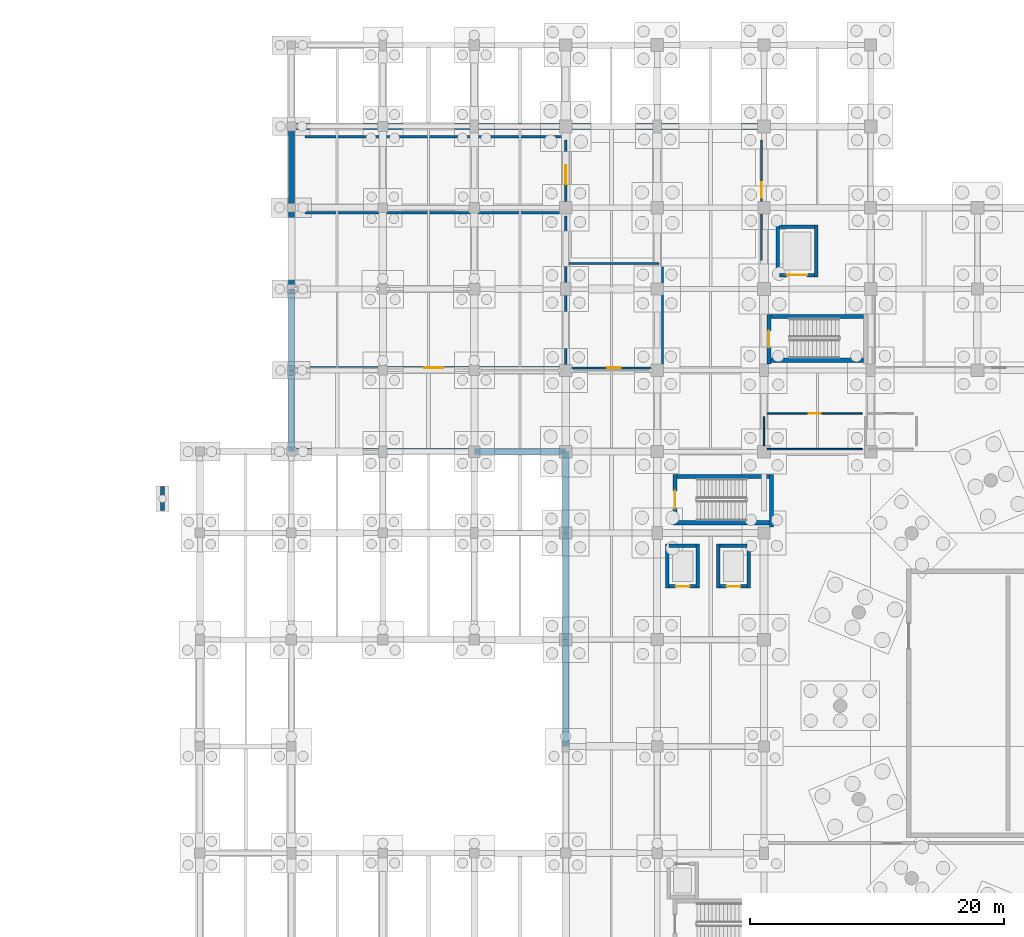
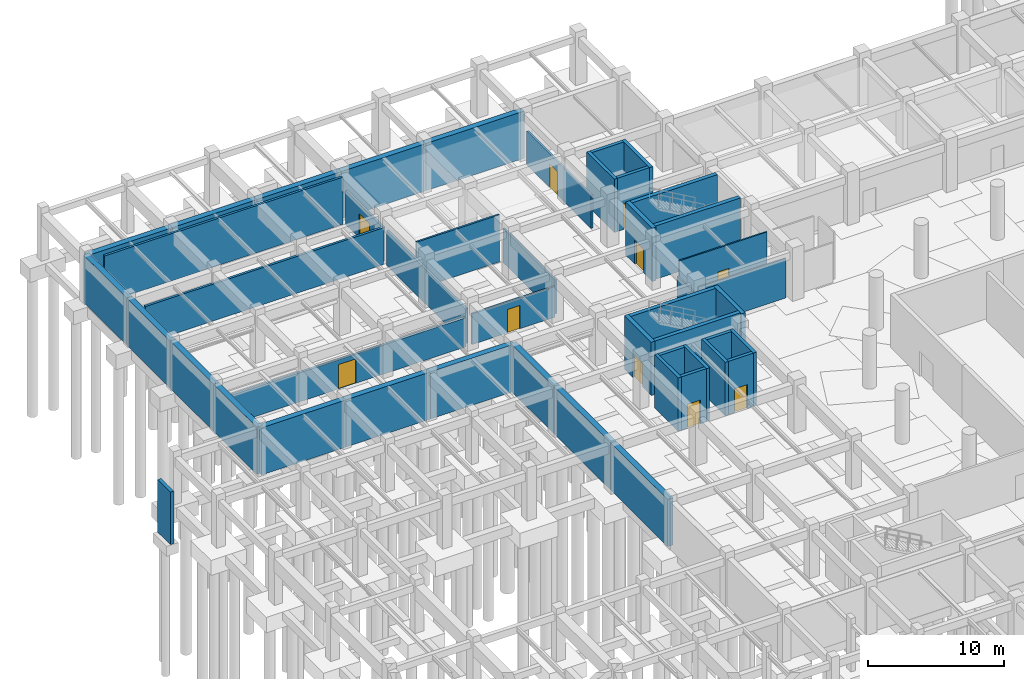
# One storey, part 32 of 44: 47 walls, 10 doors, 10 openings.
"""IFC4 building model written with IfcOpenShell, lengths in metres."""

from ifc_helpers import new_model, si_unit, direction, frame, frame_2d, origin, place, context, subcontext, project, spatial, rectangle, extrude, material, layer, layer_set, type_object, element, fill, save


model = new_model("IFC4")

# Units and contexts
model_context = context("Model", 3, precision=1e-05, world=origin(), true_north=direction((0.0, 1.0)))
body_context = subcontext(model_context, "Body", "Model", "MODEL_VIEW")
ifc_project = project(units=[si_unit("LENGTHUNIT", "METRE"), si_unit("AREAUNIT", "SQUARE_METRE"), si_unit("VOLUMEUNIT", "CUBIC_METRE"), si_unit("PLANEANGLEUNIT", "RADIAN"), si_unit("MASSUNIT", "GRAM", prefix="KILO")], contexts=[model_context])

# Site, building, storey
site_placement = place(None, origin())
site = spatial("IfcSite", under=ifc_project, at=site_placement, CompositionType="ELEMENT")
building_placement = place(site_placement, origin())
building = spatial("IfcBuilding", under=site, at=building_placement, Name="Korsvaeld Concert Hall", CompositionType="ELEMENT")
storey_placement = place(building_placement, frame((0.0, 0.0, -4.800048828125)))
storey = spatial("IfcBuildingStorey", under=building, at=storey_placement, Name="B1", CompositionType="ELEMENT", Elevation=-4.800048828125)

# Walls
ifc_material_1 = material(Name="Concrete C35/45", Category="concrete")
ifc_layer_1 = layer(ifc_material_1, 0.47998046875)
ifc_layer_set_1 = layer_set([ifc_layer_1], Name="Concrete C35/45")
wall_type_1 = type_object("IfcWallType", Name="WL-B1-RET-480", PredefinedType="SOLIDWALL", material=ifc_layer_set_1)
wall_1_placement = place(storey_placement, frame((43.199951171875, 60.0, 0.0), z_axis=(0.0, 0.0, 1.0), x_axis=(0.0, 1.0, 0.0)))
element("IfcWall", 1, at=wall_1_placement, inside=storey, type_object=wall_type_1, Name="Exterior sandstone wall B1-013", PredefinedType="SOLIDWALL", context=body_context, shape_type="SweptSolid", body=[
    extrude(rectangle(XDim=8.39990234375, YDim=0.47998046875, at=frame_2d((4.199951171875, 0.0))), origin(), (0.0, 0.0, 1.0), 4.25),
])
wall_2_placement = place(storey_placement, frame((43.199951171875, 68.39990234375, 0.0), z_axis=(0.0, 0.0, 1.0), x_axis=(0.0, 1.0, 0.0)))
element("IfcWall", 2, at=wall_2_placement, inside=storey, type_object=wall_type_1, Name="Exterior sandstone wall B1-014", PredefinedType="SOLIDWALL", context=body_context, shape_type="SweptSolid", body=[
    extrude(rectangle(XDim=8.400146484375, YDim=0.47998046875, at=frame_2d((4.2001953125, 0.0))), origin(), (0.0, 0.0, 1.0), 4.25),
])
wall_3_placement = place(storey_placement, frame((43.199951171875, 76.800048828125, 0.0), z_axis=(0.0, 0.0, 1.0), x_axis=(0.0, 1.0, 0.0)))
element("IfcWall", 3, at=wall_3_placement, inside=storey, type_object=wall_type_1, Name="Exterior sandstone wall B1-015", PredefinedType="SOLIDWALL", context=body_context, shape_type="SweptSolid", body=[
    extrude(rectangle(XDim=6.39990234375, YDim=0.47998046875, at=frame_2d((3.199951171875, 0.0))), origin(), (0.0, 0.0, 1.0), 4.25),
])
for number, where, z_axis, x_axis, name in (
    (4, (43.199951171875, 83.199951171875, 0.0), (0.0, 0.0, 1.0), (-1.0, 0.0, 0.0), "Exterior sandstone wall B1-016"),
    (5, (36.0, 83.199951171875, 0.0), (0.0, 0.0, 1.0), (-1.0, 0.0, 0.0), "Exterior sandstone wall B1-017"),
    (6, (28.800048828125, 83.199951171875, 0.0), (0.0, 0.0, 1.0), (-1.0, 0.0, 0.0), "Exterior sandstone wall B1-018"),
):
    element("IfcWall", number, at=place(storey_placement, frame(where, z_axis=z_axis, x_axis=x_axis)), inside=storey, type_object=wall_type_1, Name=name, PredefinedType="SOLIDWALL", context=body_context, shape_type="SweptSolid", body=[
        extrude(rectangle(XDim=7.199951171875, YDim=0.47998046875, at=frame_2d((3.60009765625, 0.0))), origin(), (0.0, 0.0, 1.0), 4.25),
    ])
wall_4_placement = place(storey_placement, frame((21.60009765625, 83.199951171875, 0.0), z_axis=(0.0, 0.0, 1.0), x_axis=(0.0, 1.0, 0.0)))
element("IfcWall", 7, at=wall_4_placement, inside=storey, type_object=wall_type_1, Name="Exterior sandstone wall B1-019", PredefinedType="SOLIDWALL", context=body_context, shape_type="SweptSolid", body=[
    extrude(rectangle(XDim=6.400146484375, YDim=0.47998046875, at=frame_2d((3.2001953125, 0.0))), origin(), (0.0, 0.0, 1.0), 4.25),
])
for number, where, z_axis, x_axis, name in (
    (8, (21.60009765625, 89.60009765625, 0.0), (0.0, 0.0, 1.0), (0.0, 1.0, 0.0), "Exterior sandstone wall B1-020"),
    (9, (21.60009765625, 96.0, 0.0), (0.0, 0.0, 1.0), (0.0, 1.0, 0.0), "Exterior sandstone wall B1-021"),
):
    element("IfcWall", number, at=place(storey_placement, frame(where, z_axis=z_axis, x_axis=x_axis)), inside=storey, type_object=wall_type_1, Name=name, PredefinedType="SOLIDWALL", context=body_context, shape_type="SweptSolid", body=[
        extrude(rectangle(XDim=6.39990234375, YDim=0.47998046875, at=frame_2d((3.199951171875, 0.0))), origin(), (0.0, 0.0, 1.0), 4.25),
    ])
wall_5_placement = place(storey_placement, frame((21.60009765625, 102.39990234375, 0.0), z_axis=(0.0, 0.0, 1.0), x_axis=(0.0, 1.0, 0.0)))
element("IfcWall", 10, at=wall_5_placement, inside=storey, type_object=wall_type_1, Name="Exterior sandstone wall B1-022", PredefinedType="SOLIDWALL", context=body_context, shape_type="SweptSolid", body=[
    extrude(rectangle(XDim=6.400146484375, YDim=0.47998046875, at=frame_2d((3.2001953125, 0.0))), origin(), (0.0, 0.0, 1.0), 4.25),
])
for number, where, z_axis, x_axis, name in (
    (11, (21.60009765625, 108.800048828125, 0.0), (0.0, 0.0, 1.0), (1.0, 0.0, 0.0), "Exterior sandstone wall B1-023"),
    (12, (28.800048828125, 108.800048828125, 0.0), (0.0, 0.0, 1.0), (1.0, 0.0, 0.0), "Exterior sandstone wall B1-024"),
    (13, (36.0, 108.800048828125, 0.0), (0.0, 0.0, 1.0), (1.0, 0.0, 0.0), "Exterior sandstone wall B1-025"),
    (14, (43.199951171875, 108.800048828125, 0.0), (0.0, 0.0, 1.0), (1.0, 0.0, 0.0), "Exterior sandstone wall B1-026"),
):
    element("IfcWall", number, at=place(storey_placement, frame(where, z_axis=z_axis, x_axis=x_axis)), inside=storey, type_object=wall_type_1, Name=name, PredefinedType="SOLIDWALL", context=body_context, shape_type="SweptSolid", body=[
        extrude(rectangle(XDim=7.199951171875, YDim=0.47998046875, at=frame_2d((3.60009765625, 0.0))), origin(), (0.0, 0.0, 1.0), 4.25),
    ])
wall_6_placement = place(storey_placement, frame((50.39990234375, 108.800048828125, 0.0), z_axis=(0.0, 0.0, 1.0), x_axis=(1.0, 0.0, 0.0)))
element("IfcWall", 15, at=wall_6_placement, inside=storey, type_object=wall_type_1, Name="Exterior sandstone wall B1-027", PredefinedType="SOLIDWALL", context=body_context, shape_type="SweptSolid", body=[
    extrude(rectangle(XDim=8.400146484375, YDim=0.47998046875, at=frame_2d((4.2001953125, 0.0))), origin(), (0.0, 0.0, 1.0), 4.25),
])
ifc_material_2 = material(Name="Concrete C40/50", Category="concrete")
ifc_layer_2 = layer(ifc_material_2, 0.340087890625)
ifc_layer_set_2 = layer_set([ifc_layer_2], Name="Concrete C40/50")
wall_type_2 = type_object("IfcWallType", Name="WL-CORE-340", PredefinedType="SHEAR", material=ifc_layer_set_2)
wall_7_placement = place(storey_placement, frame((51.969970703125, 77.60009765625, 0.0), z_axis=(0.0, 0.0, 1.0), x_axis=(1.0, 0.0, 0.0)))
element("IfcWall", 16, at=wall_7_placement, inside=storey, type_object=wall_type_2, Name="Core K1 shear wall B1 S", PredefinedType="SHEAR", context=body_context, shape_type="SweptSolid", body=[
    extrude(rectangle(XDim=7.260009765625, YDim=0.340087890625, at=frame_2d((3.6298828125, 0.0))), origin(), (0.0, 0.0, 1.0), 4.800048828125),
])
wall_8_placement = place(storey_placement, frame((59.39990234375, 77.27490234375, 0.0), z_axis=(0.0, 0.0, 1.0), x_axis=(0.0, 1.0, 0.0)))
element("IfcWall", 17, at=wall_8_placement, inside=storey, type_object=wall_type_2, Name="Core K1 shear wall B1 E", PredefinedType="SHEAR", context=body_context, shape_type="SweptSolid", body=[
    extrude(rectangle(XDim=4.135009765625, YDim=0.340087890625, at=frame_2d((2.0673828125, 0.0))), origin(), (0.0, 0.0, 1.0), 4.800048828125),
])
wall_9_placement = place(storey_placement, frame((59.22998046875, 81.239990234375, 0.0), z_axis=(0.0, 0.0, 1.0), x_axis=(-1.0, 0.0, 0.0)))
element("IfcWall", 18, at=wall_9_placement, inside=storey, type_object=wall_type_2, Name="Core K1 shear wall B1 N", PredefinedType="SHEAR", context=body_context, shape_type="SweptSolid", body=[
    extrude(rectangle(XDim=7.260009765625, YDim=0.340087890625, at=frame_2d((3.6298828125, 0.0))), origin(), (0.0, 0.0, 1.0), 4.800048828125),
])

# Wall, opening, door
wall_10_placement = place(storey_placement, frame((51.800048828125, 81.409912109375, 0.0), z_axis=(0.0, 0.0, 1.0), x_axis=(0.0, -1.0, 0.0)))
wall_10 = element("IfcWall", 19, at=wall_10_placement, inside=storey, type_object=wall_type_2, Name="Core K1 shear wall B1 W", PredefinedType="SHEAR", context=body_context, shape_type="SweptSolid", body=[
    extrude(rectangle(XDim=3.97998046875, YDim=0.340087890625, at=frame_2d((1.989990234375, 0.0))), origin(), (0.0, 0.0, 1.0), 4.800048828125),
])
opening_1_placement = place(wall_10_placement, frame((1.2900390625, 0.0, 0.0)))
opening_1 = element("IfcOpeningElement", 20, at=opening_1_placement, cuts=wall_10, Name="Opening FD-02", PredefinedType="OPENING", context=body_context, shape_type="SweptSolid", body=[
    extrude(rectangle(XDim=1.39990234375, YDim=2.14990234375, at=frame_2d((0.699951171875, 1.074951171875))), frame((0.0, 0.18017578125, 0.0), z_axis=(0.0, -1.0, 0.0), x_axis=(1.0, 0.0, 0.0)), (0.0, 0.0, 1.0), 0.360107421875),
])
ifc_material_3 = material(Name="Acoustic steel and oak fire door", Category="steel")
door_type_1 = type_object("IfcDoorType", Name="DR-FD-STAIR-140x215", OperationType="NOTDEFINED", PredefinedType="DOOR", material=ifc_material_3)
door_1_placement = place(opening_1_placement, origin())
door_1 = element("IfcDoor", 21, at=door_1_placement, inside=storey, type_object=door_type_1, Name="Escape stair ST-K1 fire door B1", OperationType="SINGLE_SWING_LEFT", OverallHeight=2.14990234375, OverallWidth=1.39990234375, PredefinedType="DOOR", context=body_context, shape_type="SweptSolid", body=[
    extrude(rectangle(XDim=1.39990234375, YDim=2.14990234375, at=frame_2d((0.699951171875, 1.074951171875))), frame((0.0, 0.02490234375, 0.0), z_axis=(0.0, -1.0, 0.0), x_axis=(1.0, 0.0, 0.0)), (0.0, 0.0, 1.0), 0.050048828125),
])
fill(opening_1, door_1)

# Walls
for number, where, z_axis, x_axis, name in (
    (22, (59.3701171875, 90.39990234375, 0.0), (0.0, 0.0, 1.0), (1.0, 0.0, 0.0), "Core K5 shear wall B1 S"),
    (23, (66.6298828125, 93.840087890625, 0.0), (0.0, 0.0, 1.0), (-1.0, 0.0, 0.0), "Core K5 shear wall B1 N"),
):
    element("IfcWall", number, at=place(storey_placement, frame(where, z_axis=z_axis, x_axis=x_axis)), inside=storey, type_object=wall_type_2, Name=name, PredefinedType="SHEAR", context=body_context, shape_type="SweptSolid", body=[
        extrude(rectangle(XDim=7.259765625, YDim=0.340087890625, at=frame_2d((3.6298828125, 0.0))), origin(), (0.0, 0.0, 1.0), 4.800048828125),
    ])

# Wall, opening, door
wall_11_placement = place(storey_placement, frame((59.199951171875, 94.010009765625, 0.0), z_axis=(0.0, 0.0, 1.0), x_axis=(0.0, -1.0, 0.0)))
wall_11 = element("IfcWall", 24, at=wall_11_placement, inside=storey, type_object=wall_type_2, Name="Core K5 shear wall B1 W", PredefinedType="SHEAR", context=body_context, shape_type="SweptSolid", body=[
    extrude(rectangle(XDim=3.909912109375, YDim=0.340087890625, at=frame_2d((1.955078125, 0.0))), origin(), (0.0, 0.0, 1.0), 4.800048828125),
])
opening_2_placement = place(wall_11_placement, frame((1.304931640625, 0.0, 0.0)))
opening_2 = element("IfcOpeningElement", 25, at=opening_2_placement, cuts=wall_11, Name="Opening FD-01", PredefinedType="OPENING", context=body_context, shape_type="SweptSolid", body=[
    extrude(rectangle(XDim=1.300048828125, YDim=2.14990234375, at=frame_2d((0.64990234375, 1.074951171875))), frame((0.0, 0.18017578125, 0.0), z_axis=(0.0, -1.0, 0.0), x_axis=(1.0, 0.0, 0.0)), (0.0, 0.0, 1.0), 0.360107421875),
])
door_type_2 = type_object("IfcDoorType", Name="DR-FD-STAIR-130x215", OperationType="NOTDEFINED", PredefinedType="DOOR", material=ifc_material_3)
door_2_placement = place(opening_2_placement, origin())
door_2 = element("IfcDoor", 26, at=door_2_placement, inside=storey, type_object=door_type_2, Name="Escape stair ST-K5 fire door B1", OperationType="SINGLE_SWING_LEFT", OverallHeight=2.14990234375, OverallWidth=1.300048828125, PredefinedType="DOOR", context=body_context, shape_type="SweptSolid", body=[
    extrude(rectangle(XDim=1.300048828125, YDim=2.14990234375, at=frame_2d((0.64990234375, 1.074951171875))), frame((0.0, 0.02490234375, 0.0), z_axis=(0.0, -1.0, 0.0), x_axis=(1.0, 0.0, 0.0)), (0.0, 0.0, 1.0), 0.050048828125),
])
fill(opening_2, door_2)

ifc_material_4 = material(Name="Double acoustic gypsum fire compartment wall")
ifc_layer_3 = layer(ifc_material_4, 0.199951171875)
ifc_layer_set_3 = layer_set([ifc_layer_3], Name="Double acoustic gypsum fire compartment wall")
wall_type_3 = type_object("IfcWallType", Name="WL-FIRE-200", PredefinedType="PARTITIONING", material=ifc_layer_set_3)
wall_12_placement = place(storey_placement, frame((22.659912109375, 89.800048828125, 0.0), z_axis=(0.0, 0.0, 1.0), x_axis=(1.0, 0.0, 0.0)))
wall_12 = element("IfcWall", 27, at=wall_12_placement, inside=storey, type_object=wall_type_3, Name="Interior partition B1-01 S", PredefinedType="PARTITIONING", context=body_context, shape_type="SweptSolid", body=[
    extrude(rectangle(XDim=20.280029296875, YDim=0.199951171875, at=frame_2d((10.14013671875, 0.0))), origin(), (0.0, 0.0, 1.0), 2.625),
])
opening_3_placement = place(wall_12_placement, frame((9.389892578125, 0.0, 0.0)))
opening_3 = element("IfcOpeningElement", 28, at=opening_3_placement, cuts=wall_12, Name="Opening FD-07", PredefinedType="OPENING", context=body_context, shape_type="SweptSolid", body=[
    extrude(rectangle(XDim=1.5, YDim=2.199951171875, at=frame_2d((0.75, 1.10009765625))), frame((0.0, 0.10986328125, 0.0), z_axis=(0.0, -1.0, 0.0), x_axis=(1.0, 0.0, 0.0)), (0.0, 0.0, 1.0), 0.219970703125),
])
ifc_material_5 = material(Name="Acoustic steel plant fire door", Category="steel")
door_type_3 = type_object("IfcDoorType", Name="DR-FD-PLANT-150x220", OperationType="DOUBLE_DOOR_SINGLE_SWING", PredefinedType="DOOR", material=ifc_material_5)
door_3_placement = place(opening_3_placement, origin())
door_3 = element("IfcDoor", 29, at=door_3_placement, inside=storey, type_object=door_type_3, Name="Covered Bicycle Hub West door B1-01", OperationType="DOUBLE_DOOR_SINGLE_SWING", OverallHeight=2.199951171875, OverallWidth=1.5, PredefinedType="DOOR", context=body_context, shape_type="SweptSolid", body=[
    extrude(rectangle(XDim=1.5, YDim=2.199951171875, at=frame_2d((0.75, 1.10009765625))), frame((0.0, 0.02490234375, 0.0), z_axis=(0.0, -1.0, 0.0), x_axis=(1.0, 0.0, 0.0)), (0.0, 0.0, 1.0), 0.050048828125),
])
fill(opening_3, door_3)

# Walls
wall_13_placement = place(storey_placement, frame((43.199951171875, 90.06005859375, 0.0), z_axis=(0.0, 0.0, 1.0), x_axis=(0.0, 1.0, 0.0)))
element("IfcWall", 30, at=wall_13_placement, inside=storey, type_object=wall_type_3, Name="Interior partition B1-01 E", PredefinedType="PARTITIONING", context=body_context, shape_type="SweptSolid", body=[
    extrude(rectangle(XDim=11.679931640625, YDim=0.199951171875, at=frame_2d((5.83984375, 0.0))), origin(), (0.0, 0.0, 1.0), 3.125),
])
wall_14_placement = place(storey_placement, frame((42.93994140625, 102.0, 0.0), z_axis=(0.0, 0.0, 1.0), x_axis=(-1.0, 0.0, 0.0)))
element("IfcWall", 31, at=wall_14_placement, inside=storey, type_object=wall_type_3, Name="Interior partition B1-01 N", PredefinedType="PARTITIONING", context=body_context, shape_type="SweptSolid", body=[
    extrude(rectangle(XDim=20.280029296875, YDim=0.199951171875, at=frame_2d((10.14013671875, 0.0))), origin(), (0.0, 0.0, 1.0), 3.324951171875),
])

# Wall, opening, door
wall_15_placement = place(storey_placement, frame((43.199951171875, 102.260009765625, 0.0), z_axis=(0.0, 0.0, 1.0), x_axis=(0.0, 1.0, 0.0)))
wall_15 = element("IfcWall", 32, at=wall_15_placement, inside=storey, type_object=wall_type_3, Name="Interior partition B1-19 E", PredefinedType="PARTITIONING", context=body_context, shape_type="SweptSolid", body=[
    extrude(rectangle(XDim=5.47998046875, YDim=0.199951171875, at=frame_2d((2.739990234375, 0.0))), origin(), (0.0, 0.0, 1.0), 3.074951171875),
])
opening_4_placement = place(wall_15_placement, frame((1.989990234375, 0.0, 0.0)))
opening_4 = element("IfcOpeningElement", 33, at=opening_4_placement, cuts=wall_15, Name="Opening FD-07", PredefinedType="OPENING", context=body_context, shape_type="SweptSolid", body=[
    extrude(rectangle(XDim=1.5, YDim=2.199951171875, at=frame_2d((0.75, 1.10009765625))), frame((0.0, 0.10986328125, 0.0), z_axis=(0.0, -1.0, 0.0), x_axis=(1.0, 0.0, 0.0)), (0.0, 0.0, 1.0), 0.219970703125),
])
door_4_placement = place(opening_4_placement, origin())
door_4 = element("IfcDoor", 34, at=door_4_placement, inside=storey, type_object=door_type_3, Name="Sprinkler Pump & Electrical Substation Room door B1-19", OperationType="DOUBLE_DOOR_SINGLE_SWING", OverallHeight=2.199951171875, OverallWidth=1.5, PredefinedType="DOOR", context=body_context, shape_type="SweptSolid", body=[
    extrude(rectangle(XDim=1.5, YDim=2.199951171875, at=frame_2d((0.75, 1.10009765625))), frame((0.0, 0.02490234375, 0.0), z_axis=(0.0, -1.0, 0.0), x_axis=(1.0, 0.0, 0.0)), (0.0, 0.0, 1.0), 0.050048828125),
])
fill(opening_4, door_4)

# Walls
wall_16_placement = place(storey_placement, frame((42.93994140625, 108.0, 0.0), z_axis=(0.0, 0.0, 1.0), x_axis=(-1.0, 0.0, 0.0)))
element("IfcWall", 35, at=wall_16_placement, inside=storey, type_object=wall_type_3, Name="Interior partition B1-19 N", PredefinedType="PARTITIONING", context=body_context, shape_type="SweptSolid", body=[
    extrude(rectangle(XDim=20.280029296875, YDim=0.199951171875, at=frame_2d((10.14013671875, 0.0))), origin(), (0.0, 0.0, 1.0), 4.25),
])
ifc_material_6 = material(Name="Insulated acoustic gypsum partition")
ifc_layer_4 = layer(ifc_material_6, 0.125)
ifc_layer_set_4 = layer_set([ifc_layer_4], Name="Insulated acoustic gypsum partition")
wall_type_4 = type_object("IfcWallType", Name="WL-PART-125", PredefinedType="PARTITIONING", material=ifc_layer_set_4)
wall_17_placement = place(storey_placement, frame((59.06005859375, 83.39990234375, 0.0), z_axis=(0.0, 0.0, 1.0), x_axis=(1.0, 0.0, 0.0)))
element("IfcWall", 36, at=wall_17_placement, inside=storey, type_object=wall_type_4, Name="Interior partition B1-20 S", PredefinedType="PARTITIONING", context=body_context, shape_type="SweptSolid", body=[
    extrude(rectangle(XDim=7.47998046875, YDim=0.125, at=frame_2d((3.739990234375, 0.0))), origin(), (0.0, 0.0, 1.0), 3.574951171875),
])

# Wall, opening, door
wall_18_placement = place(storey_placement, frame((66.5400390625, 86.199951171875, 0.0), z_axis=(0.0, 0.0, 1.0), x_axis=(-1.0, 0.0, 0.0)))
wall_18 = element("IfcWall", 37, at=wall_18_placement, inside=storey, type_object=wall_type_4, Name="Interior partition B1-20 N", PredefinedType="PARTITIONING", context=body_context, shape_type="SweptSolid", body=[
    extrude(rectangle(XDim=7.47998046875, YDim=0.125, at=frame_2d((3.739990234375, 0.0))), origin(), (0.0, 0.0, 1.0), 4.25),
])
opening_5_placement = place(wall_18_placement, frame((3.27001953125, 0.0, 0.0)))
opening_5 = element("IfcOpeningElement", 38, at=opening_5_placement, cuts=wall_18, Name="Opening ID-05", PredefinedType="OPENING", context=body_context, shape_type="SweptSolid", body=[
    extrude(rectangle(XDim=0.93994140625, YDim=2.10009765625, at=frame_2d((0.469970703125, 1.050048828125))), frame((0.0, 0.072509765625, 0.0), z_axis=(0.0, -1.0, 0.0), x_axis=(1.0, 0.0, 0.0)), (0.0, 0.0, 1.0), 0.14501953125),
])
ifc_material_7 = material(Name="Accessible washroom oak door")
door_type_4 = type_object("IfcDoorType", Name="DR-INT-WC-094x210", OperationType="NOTDEFINED", PredefinedType="DOOR", material=ifc_material_7)
door_5_placement = place(opening_5_placement, origin())
door_5 = element("IfcDoor", 39, at=door_5_placement, inside=storey, type_object=door_type_4, Name="Musicians Changing & Staff WC B1 door B1-20", OperationType="SINGLE_SWING_LEFT", OverallHeight=2.10009765625, OverallWidth=0.93994140625, PredefinedType="DOOR", context=body_context, shape_type="SweptSolid", body=[
    extrude(rectangle(XDim=0.93994140625, YDim=2.10009765625, at=frame_2d((0.469970703125, 1.050048828125))), frame((0.0, 0.02490234375, 0.0), z_axis=(0.0, -1.0, 0.0), x_axis=(1.0, 0.0, 0.0)), (0.0, 0.0, 1.0), 0.050048828125),
])
fill(opening_5, door_5)

# Wall
wall_19_placement = place(storey_placement, frame((58.800048828125, 85.93994140625, 0.0), z_axis=(0.0, 0.0, 1.0), x_axis=(0.0, -1.0, 0.0)))
element("IfcWall", 40, at=wall_19_placement, inside=storey, type_object=wall_type_4, Name="Interior partition B1-20 W", PredefinedType="PARTITIONING", context=body_context, shape_type="SweptSolid", body=[
    extrude(rectangle(XDim=2.280029296875, YDim=0.125, at=frame_2d((1.14013671875, 0.0))), origin(), (0.0, 0.0, 1.0), 3.125),
])

# Wall, opening, door
ifc_material_8 = material(Name="Double-stud acoustic rehearsal partition")
ifc_layer_5 = layer(ifc_material_8, 0.159912109375)
ifc_layer_set_5 = layer_set([ifc_layer_5], Name="Double-stud acoustic rehearsal partition")
wall_type_5 = type_object("IfcWallType", Name="WL-PART-160", PredefinedType="PARTITIONING", material=ifc_layer_set_5)
wall_20_placement = place(storey_placement, frame((43.4599609375, 89.800048828125, 0.0), z_axis=(0.0, 0.0, 1.0), x_axis=(1.0, 0.0, 0.0)))
wall_20 = element("IfcWall", 41, at=wall_20_placement, inside=storey, type_object=wall_type_5, Name="Interior partition B1-11 S", PredefinedType="PARTITIONING", context=body_context, shape_type="SweptSolid", body=[
    extrude(rectangle(XDim=7.080078125, YDim=0.159912109375, at=frame_2d((3.5400390625, 0.0))), origin(), (0.0, 0.0, 1.0), 2.76513671875),
])
opening_6_placement = place(wall_20_placement, frame((3.014892578125, 0.0, 0.0)))
opening_6 = element("IfcOpeningElement", 42, at=opening_6_placement, cuts=wall_20, Name="Opening ID-02", PredefinedType="OPENING", context=body_context, shape_type="SweptSolid", body=[
    extrude(rectangle(XDim=1.050048828125, YDim=2.10009765625, at=frame_2d((0.52490234375, 1.050048828125))), frame((0.0, 0.08984375, 0.0), z_axis=(0.0, -1.0, 0.0), x_axis=(1.0, 0.0, 0.0)), (0.0, 0.0, 1.0), 0.179931640625),
])
ifc_material_9 = material(Name="Solid European oak practice room door")
door_type_5 = type_object("IfcDoorType", Name="DR-INT-PRC-105x210", OperationType="NOTDEFINED", PredefinedType="DOOR", material=ifc_material_9)
door_6_placement = place(opening_6_placement, origin())
door_6 = element("IfcDoor", 43, at=door_6_placement, inside=storey, type_object=door_type_5, Name="Percussion Practice Room B1-A door B1-11", OperationType="SINGLE_SWING_RIGHT", OverallHeight=2.10009765625, OverallWidth=1.050048828125, PredefinedType="DOOR", context=body_context, shape_type="SweptSolid", body=[
    extrude(rectangle(XDim=1.050048828125, YDim=2.10009765625, at=frame_2d((0.52490234375, 1.050048828125))), frame((0.0, 0.02490234375, 0.0), z_axis=(0.0, -1.0, 0.0), x_axis=(1.0, 0.0, 0.0)), (0.0, 0.0, 1.0), 0.050048828125),
])
fill(opening_6, door_6)

# Walls
wall_21_placement = place(storey_placement, frame((50.800048828125, 90.06005859375, 0.0), z_axis=(0.0, 0.0, 1.0), x_axis=(0.0, 1.0, 0.0)))
element("IfcWall", 44, at=wall_21_placement, inside=storey, type_object=wall_type_5, Name="Interior partition B1-11 E", PredefinedType="PARTITIONING", context=body_context, shape_type="SweptSolid", body=[
    extrude(rectangle(XDim=7.679931640625, YDim=0.159912109375, at=frame_2d((3.83984375, 0.0))), origin(), (0.0, 0.0, 1.0), 3.074951171875),
])
wall_22_placement = place(storey_placement, frame((50.5400390625, 98.0, 0.0), z_axis=(0.0, 0.0, 1.0), x_axis=(-1.0, 0.0, 0.0)))
element("IfcWall", 45, at=wall_22_placement, inside=storey, type_object=wall_type_5, Name="Interior partition B1-11 N", PredefinedType="PARTITIONING", context=body_context, shape_type="SweptSolid", body=[
    extrude(rectangle(XDim=7.080078125, YDim=0.159912109375, at=frame_2d((3.5400390625, 0.0))), origin(), (0.0, 0.0, 1.0), 4.25),
])

# Wall, opening, door
wall_23_placement = place(storey_placement, frame((58.60009765625, 98.260009765625, 0.0), z_axis=(0.0, 0.0, 1.0), x_axis=(0.0, 1.0, 0.0)))
wall_23 = element("IfcWall", 46, at=wall_23_placement, inside=storey, type_object=wall_type_5, Name="Interior partition B1-12 E", PredefinedType="PARTITIONING", context=body_context, shape_type="SweptSolid", body=[
    extrude(rectangle(XDim=9.47998046875, YDim=0.159912109375, at=frame_2d((4.739990234375, 0.0))), origin(), (0.0, 0.0, 1.0), 3.025146484375),
])
opening_7_placement = place(wall_23_placement, frame((4.93994140625, 0.0, 0.0)))
opening_7 = element("IfcOpeningElement", 47, at=opening_7_placement, cuts=wall_23, Name="Opening ID-01", PredefinedType="OPENING", context=body_context, shape_type="SweptSolid", body=[
    extrude(rectangle(XDim=1.199951171875, YDim=2.14990234375, at=frame_2d((0.60009765625, 1.074951171875))), frame((0.0, 0.08984375, 0.0), z_axis=(0.0, -1.0, 0.0), x_axis=(1.0, 0.0, 0.0)), (0.0, 0.0, 1.0), 0.179931640625),
])
ifc_material_10 = material(Name="Solid European oak acoustic studio door")
door_type_6 = type_object("IfcDoorType", Name="DR-INT-REH-120x215", OperationType="NOTDEFINED", PredefinedType="DOOR", material=ifc_material_10)
door_7_placement = place(opening_7_placement, origin())
door_7 = element("IfcDoor", 48, at=door_7_placement, inside=storey, type_object=door_type_6, Name="Brass Ensemble Rehearsal Room B1-B door B1-12", OperationType="SINGLE_SWING_LEFT", OverallHeight=2.14990234375, OverallWidth=1.199951171875, PredefinedType="DOOR", context=body_context, shape_type="SweptSolid", body=[
    extrude(rectangle(XDim=1.199951171875, YDim=2.14990234375, at=frame_2d((0.60009765625, 1.074951171875))), frame((0.0, 0.02490234375, 0.0), z_axis=(0.0, -1.0, 0.0), x_axis=(1.0, 0.0, 0.0)), (0.0, 0.0, 1.0), 0.050048828125),
])
fill(opening_7, door_7)

ifc_layer_6 = layer(ifc_material_2, 0.280029296875)
ifc_layer_set_6 = layer_set([ifc_layer_6], Name="Concrete C40/50")
wall_type_6 = type_object("IfcWallType", Name="WL-SHAFT-280", PredefinedType="SHEAR", material=ifc_layer_set_6)
wall_24_placement = place(storey_placement, frame((51.340087890625, 72.60009765625, 0.0), z_axis=(0.0, 0.0, 1.0), x_axis=(1.0, 0.0, 0.0)))
wall_24 = element("IfcWall", 49, at=wall_24_placement, inside=storey, type_object=wall_type_6, Name="Lift LP-01 shaft wall B1 S", PredefinedType="SHEAR", context=body_context, shape_type="SweptSolid", body=[
    extrude(rectangle(XDim=2.119873046875, YDim=0.280029296875, at=frame_2d((1.06005859375, 0.0))), origin(), (0.0, 0.0, 1.0), 4.800048828125),
])
opening_8_placement = place(wall_24_placement, frame((0.510009765625, 0.0, 0.0)))
opening_8 = element("IfcOpeningElement", 50, at=opening_8_placement, cuts=wall_24, Name="Opening LD-01", PredefinedType="OPENING", context=body_context, shape_type="SweptSolid", body=[
    extrude(rectangle(XDim=1.10009765625, YDim=2.14990234375, at=frame_2d((0.550048828125, 1.074951171875))), frame((0.0, 0.14990234375, 0.0), z_axis=(0.0, -1.0, 0.0), x_axis=(1.0, 0.0, 0.0)), (0.0, 0.0, 1.0), 0.300048828125),
])
ifc_material_11 = material(Name="Brushed bronze-stainless sliding lift landing door")
door_type_7 = type_object("IfcDoorType", Name="DR-LD-PASS-110x215", OperationType="NOTDEFINED", PredefinedType="DOOR", material=ifc_material_11)
door_8_placement = place(opening_8_placement, origin())
door_8 = element("IfcDoor", 51, at=door_8_placement, inside=storey, type_object=door_type_7, Name="Lift landing door LP-01 B1", OperationType="SLIDING_TO_LEFT", OverallHeight=2.14990234375, OverallWidth=1.10009765625, PredefinedType="DOOR", context=body_context, shape_type="SweptSolid", body=[
    extrude(rectangle(XDim=1.10009765625, YDim=2.14990234375, at=frame_2d((0.550048828125, 1.074951171875))), frame((0.0, 0.02490234375, 0.0), z_axis=(0.0, -1.0, 0.0), x_axis=(1.0, 0.0, 0.0)), (0.0, 0.0, 1.0), 0.050048828125),
])
fill(opening_8, door_8)

# Walls
wall_25_placement = place(storey_placement, frame((53.60009765625, 72.4599609375, 0.0), z_axis=(0.0, 0.0, 1.0), x_axis=(0.0, 1.0, 0.0)))
element("IfcWall", 52, at=wall_25_placement, inside=storey, type_object=wall_type_6, Name="Lift LP-01 shaft wall B1 E", PredefinedType="SHEAR", context=body_context, shape_type="SweptSolid", body=[
    extrude(rectangle(XDim=3.47998046875, YDim=0.280029296875, at=frame_2d((1.739990234375, 0.0))), origin(), (0.0, 0.0, 1.0), 4.800048828125),
])
wall_26_placement = place(storey_placement, frame((53.4599609375, 75.800048828125, 0.0), z_axis=(0.0, 0.0, 1.0), x_axis=(-1.0, 0.0, 0.0)))
element("IfcWall", 53, at=wall_26_placement, inside=storey, type_object=wall_type_6, Name="Lift LP-01 shaft wall B1 N", PredefinedType="SHEAR", context=body_context, shape_type="SweptSolid", body=[
    extrude(rectangle(XDim=2.119873046875, YDim=0.280029296875, at=frame_2d((1.06005859375, 0.0))), origin(), (0.0, 0.0, 1.0), 4.800048828125),
])
wall_27_placement = place(storey_placement, frame((51.199951171875, 75.93994140625, 0.0), z_axis=(0.0, 0.0, 1.0), x_axis=(0.0, -1.0, 0.0)))
element("IfcWall", 54, at=wall_27_placement, inside=storey, type_object=wall_type_6, Name="Lift LP-01 shaft wall B1 W", PredefinedType="SHEAR", context=body_context, shape_type="SweptSolid", body=[
    extrude(rectangle(XDim=3.47998046875, YDim=0.280029296875, at=frame_2d((1.739990234375, 0.0))), origin(), (0.0, 0.0, 1.0), 4.800048828125),
])

# Wall, opening, door
wall_28_placement = place(storey_placement, frame((55.340087890625, 72.60009765625, 0.0), z_axis=(0.0, 0.0, 1.0), x_axis=(1.0, 0.0, 0.0)))
wall_28 = element("IfcWall", 55, at=wall_28_placement, inside=storey, type_object=wall_type_6, Name="Lift LP-02 shaft wall B1 S", PredefinedType="SHEAR", context=body_context, shape_type="SweptSolid", body=[
    extrude(rectangle(XDim=2.119873046875, YDim=0.280029296875, at=frame_2d((1.06005859375, 0.0))), origin(), (0.0, 0.0, 1.0), 4.800048828125),
])
opening_9_placement = place(wall_28_placement, frame((0.510009765625, 0.0, 0.0)))
opening_9 = element("IfcOpeningElement", 56, at=opening_9_placement, cuts=wall_28, Name="Opening LD-01", PredefinedType="OPENING", context=body_context, shape_type="SweptSolid", body=[
    extrude(rectangle(XDim=1.10009765625, YDim=2.14990234375, at=frame_2d((0.550048828125, 1.074951171875))), frame((0.0, 0.14990234375, 0.0), z_axis=(0.0, -1.0, 0.0), x_axis=(1.0, 0.0, 0.0)), (0.0, 0.0, 1.0), 0.300048828125),
])
door_9_placement = place(opening_9_placement, origin())
door_9 = element("IfcDoor", 57, at=door_9_placement, inside=storey, type_object=door_type_7, Name="Lift landing door LP-02 B1", OperationType="SLIDING_TO_RIGHT", OverallHeight=2.14990234375, OverallWidth=1.10009765625, PredefinedType="DOOR", context=body_context, shape_type="SweptSolid", body=[
    extrude(rectangle(XDim=1.10009765625, YDim=2.14990234375, at=frame_2d((0.550048828125, 1.074951171875))), frame((0.0, 0.02490234375, 0.0), z_axis=(0.0, -1.0, 0.0), x_axis=(1.0, 0.0, 0.0)), (0.0, 0.0, 1.0), 0.050048828125),
])
fill(opening_9, door_9)

# Walls
wall_29_placement = place(storey_placement, frame((57.60009765625, 72.4599609375, 0.0), z_axis=(0.0, 0.0, 1.0), x_axis=(0.0, 1.0, 0.0)))
element("IfcWall", 58, at=wall_29_placement, inside=storey, type_object=wall_type_6, Name="Lift LP-02 shaft wall B1 E", PredefinedType="SHEAR", context=body_context, shape_type="SweptSolid", body=[
    extrude(rectangle(XDim=3.47998046875, YDim=0.280029296875, at=frame_2d((1.739990234375, 0.0))), origin(), (0.0, 0.0, 1.0), 4.800048828125),
])
wall_30_placement = place(storey_placement, frame((57.4599609375, 75.800048828125, 0.0), z_axis=(0.0, 0.0, 1.0), x_axis=(-1.0, 0.0, 0.0)))
element("IfcWall", 59, at=wall_30_placement, inside=storey, type_object=wall_type_6, Name="Lift LP-02 shaft wall B1 N", PredefinedType="SHEAR", context=body_context, shape_type="SweptSolid", body=[
    extrude(rectangle(XDim=2.119873046875, YDim=0.280029296875, at=frame_2d((1.06005859375, 0.0))), origin(), (0.0, 0.0, 1.0), 4.800048828125),
])
wall_31_placement = place(storey_placement, frame((55.199951171875, 75.93994140625, 0.0), z_axis=(0.0, 0.0, 1.0), x_axis=(0.0, -1.0, 0.0)))
element("IfcWall", 60, at=wall_31_placement, inside=storey, type_object=wall_type_6, Name="Lift LP-02 shaft wall B1 W", PredefinedType="SHEAR", context=body_context, shape_type="SweptSolid", body=[
    extrude(rectangle(XDim=3.47998046875, YDim=0.280029296875, at=frame_2d((1.739990234375, 0.0))), origin(), (0.0, 0.0, 1.0), 4.800048828125),
])

# Wall, opening, door
wall_32_placement = place(storey_placement, frame((60.0400390625, 97.10009765625, 0.0), z_axis=(0.0, 0.0, 1.0), x_axis=(1.0, 0.0, 0.0)))
wall_32 = element("IfcWall", 61, at=wall_32_placement, inside=storey, type_object=wall_type_6, Name="Lift LG-01 shaft wall B1 S", PredefinedType="SHEAR", context=body_context, shape_type="SweptSolid", body=[
    extrude(rectangle(XDim=2.719970703125, YDim=0.280029296875, at=frame_2d((1.35986328125, 0.0))), origin(), (0.0, 0.0, 1.0), 4.800048828125),
])
opening_10_placement = place(wall_32_placement, frame((0.56005859375, 0.0, 0.0)))
opening_10 = element("IfcOpeningElement", 62, at=opening_10_placement, cuts=wall_32, Name="Opening LD-03", PredefinedType="OPENING", context=body_context, shape_type="SweptSolid", body=[
    extrude(rectangle(XDim=1.60009765625, YDim=2.300048828125, at=frame_2d((0.800048828125, 1.14990234375))), frame((0.0, 0.14990234375, 0.0), z_axis=(0.0, -1.0, 0.0), x_axis=(1.0, 0.0, 0.0)), (0.0, 0.0, 1.0), 0.300048828125),
])
ifc_material_12 = material(Name="Heavy-duty stainless sliding goods lift landing door")
door_type_8 = type_object("IfcDoorType", Name="DR-LD-GOODS-160x230", OperationType="NOTDEFINED", PredefinedType="DOOR", material=ifc_material_12)
door_10_placement = place(opening_10_placement, origin())
door_10 = element("IfcDoor", 63, at=door_10_placement, inside=storey, type_object=door_type_8, Name="Lift landing door LG-01 B1", OperationType="SLIDING_TO_LEFT", OverallHeight=2.300048828125, OverallWidth=1.60009765625, PredefinedType="DOOR", context=body_context, shape_type="SweptSolid", body=[
    extrude(rectangle(XDim=1.60009765625, YDim=2.300048828125, at=frame_2d((0.800048828125, 1.14990234375))), frame((0.0, 0.02490234375, 0.0), z_axis=(0.0, -1.0, 0.0), x_axis=(1.0, 0.0, 0.0)), (0.0, 0.0, 1.0), 0.050048828125),
])
fill(opening_10, door_10)

# Walls
wall_33_placement = place(storey_placement, frame((62.89990234375, 96.9599609375, 0.0), z_axis=(0.0, 0.0, 1.0), x_axis=(0.0, 1.0, 0.0)))
element("IfcWall", 64, at=wall_33_placement, inside=storey, type_object=wall_type_6, Name="Lift LG-01 shaft wall B1 E", PredefinedType="SHEAR", context=body_context, shape_type="SweptSolid", body=[
    extrude(rectangle(XDim=4.080078125, YDim=0.280029296875, at=frame_2d((2.0400390625, 0.0))), origin(), (0.0, 0.0, 1.0), 4.800048828125),
])
wall_34_placement = place(storey_placement, frame((62.760009765625, 100.89990234375, 0.0), z_axis=(0.0, 0.0, 1.0), x_axis=(-1.0, 0.0, 0.0)))
element("IfcWall", 65, at=wall_34_placement, inside=storey, type_object=wall_type_6, Name="Lift LG-01 shaft wall B1 N", PredefinedType="SHEAR", context=body_context, shape_type="SweptSolid", body=[
    extrude(rectangle(XDim=2.719970703125, YDim=0.280029296875, at=frame_2d((1.35986328125, 0.0))), origin(), (0.0, 0.0, 1.0), 4.800048828125),
])
wall_35_placement = place(storey_placement, frame((59.89990234375, 101.0400390625, 0.0), z_axis=(0.0, 0.0, 1.0), x_axis=(0.0, -1.0, 0.0)))
element("IfcWall", 66, at=wall_35_placement, inside=storey, type_object=wall_type_6, Name="Lift LG-01 shaft wall B1 W", PredefinedType="SHEAR", context=body_context, shape_type="SweptSolid", body=[
    extrude(rectangle(XDim=4.080078125, YDim=0.280029296875, at=frame_2d((2.0400390625, 0.0))), origin(), (0.0, 0.0, 1.0), 4.800048828125),
])
ifc_layer_7 = layer(ifc_material_2, 0.300048828125)
ifc_layer_set_7 = layer_set([ifc_layer_7], Name="Concrete C40/50")
wall_type_7 = type_object("IfcWallType", Name="WL-TIER-300", PredefinedType="SHEAR", material=ifc_layer_set_7)
wall_36_placement = place(storey_placement, frame((11.4599609375, 78.56005859375, 0.0), z_axis=(0.0, 0.0, 1.0), x_axis=(0.0, 1.0, 0.0)))
element("IfcWall", 67, at=wall_36_placement, inside=storey, type_object=wall_type_7, Name="Ramp toe bearing sleeper wall RMP-W1", PredefinedType="SHEAR", context=body_context, shape_type="SweptSolid", body=[
    extrude(rectangle(XDim=1.8798828125, YDim=0.300048828125, at=frame_2d((0.93994140625, 0.0))), origin(), (0.0, 0.0, 1.0), 4.739990234375),
])

save(model, "model.ifc")
